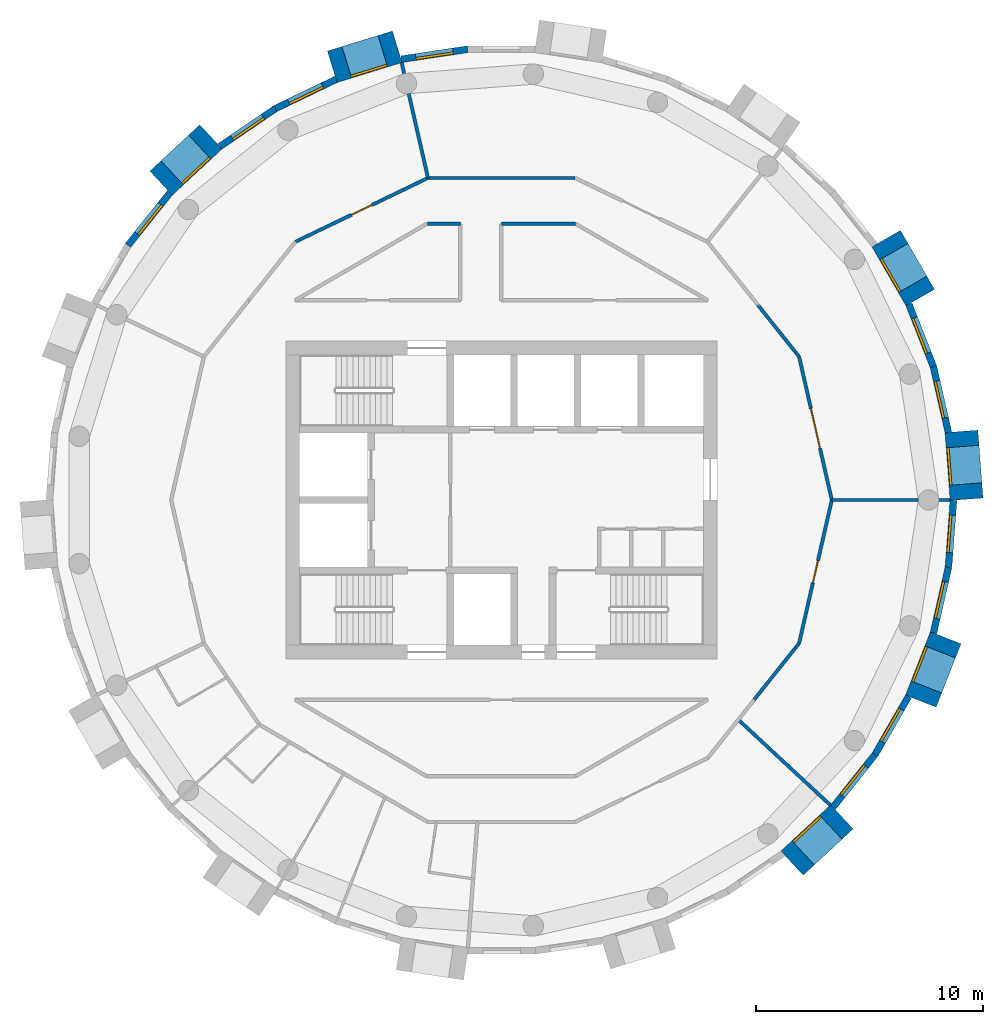
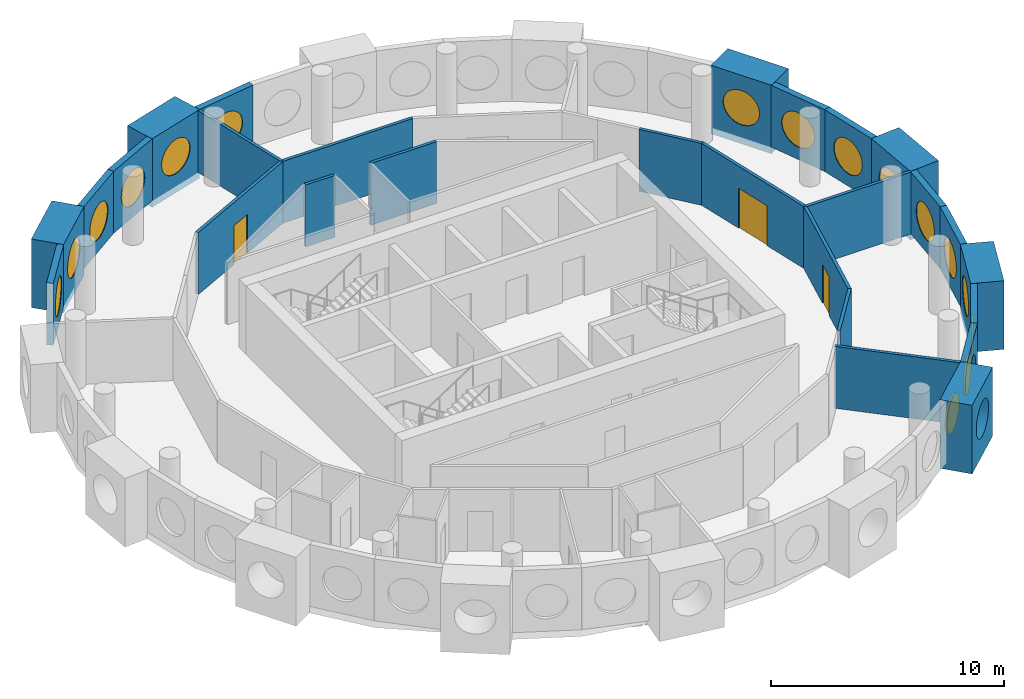
# One storey, part 9 of 12: 27 walls, 16 windows, 3 doors, 19 openings.
"""IFC4 building model written with IfcOpenShell, lengths in metres."""

from ifc_helpers import new_model, si_unit, direction, frame, frame_2d, origin, origin_2d, place, context, subcontext, project, spatial, rectangle, circle, extrude, material, layer, layer_set, type_object, element, fill, save


model = new_model("IFC4")

# Units and contexts
model_context = context("Model", 3, precision=1e-05, world=origin(), true_north=direction((0.0, 1.0)))
body_context = subcontext(model_context, "Body", "Model", "MODEL_VIEW")
ifc_project = project(units=[si_unit("LENGTHUNIT", "METRE"), si_unit("AREAUNIT", "SQUARE_METRE"), si_unit("VOLUMEUNIT", "CUBIC_METRE"), si_unit("PLANEANGLEUNIT", "RADIAN"), si_unit("MASSUNIT", "GRAM", prefix="KILO")], contexts=[model_context])

# Site, building, storey
site_placement = place(None, origin())
site = spatial("IfcSite", under=ifc_project, at=site_placement, CompositionType="ELEMENT")
building_placement = place(site_placement, origin())
building = spatial("IfcBuilding", under=site, at=building_placement, Name="Tracery Tower", CompositionType="ELEMENT")
storey_placement = place(building_placement, frame((0.0, 0.0, 323.39990234375)))
storey = spatial("IfcBuildingStorey", under=building, at=storey_placement, Name="L84", CompositionType="ELEMENT", Elevation=323.39990234375)

# Wall, opening, window
ifc_material_1 = material(Name="Precast concrete C50/60", Category="concrete")
ifc_layer_1 = layer(ifc_material_1, 1.449951171875)
ifc_layer_set_1 = layer_set([ifc_layer_1], Name="Deep-set bay unit 3000 x 3600, slab edge 350")
wall_type_1 = type_object("IfcWallType", Name="Deep-set bay unit 3000 x 3600, slab edge 350", PredefinedType="ELEMENTEDWALL", material=ifc_layer_set_1)
wall_1_placement = place(storey_placement, frame((20.49609375, 0.03173828125, -0.349853515625), z_axis=(0.0, 0.0, 1.0), x_axis=(-0.074785902127, 0.997199613339, 0.0)))
wall_1 = element("IfcWall", 1, at=wall_1_placement, inside=storey, type_object=wall_type_1, Name="Deep-set bay unit 1 at L84", PredefinedType="ELEMENTEDWALL", context=body_context, shape_type="SweptSolid", body=[
    extrude(rectangle(XDim=3.0, YDim=1.449951171875, at=frame_2d((1.5, 0.0))), origin(), (0.0, 0.0, 1.0), 3.599853515625),
])
opening_1_placement = place(wall_1_placement, frame((1.5, 0.0, 1.89990234375)))
opening_1 = element("IfcOpeningElement", 2, at=opening_1_placement, cuts=wall_1, Name="Opening WN1", PredefinedType="OPENING", context=body_context, shape_type="SweptSolid", body=[
    extrude(circle(Radius=0.9000244140625, at=origin_2d()), frame((0.0, 0.73486328125, 0.0), z_axis=(0.0, -1.0, 0.0), x_axis=(1.0, 0.0, 0.0)), (0.0, 0.0, 1.0), 1.469970703125),
])
ifc_material_2 = material(Name="Aluminium frame with tinted double glazing", Category="aluminium")
window_type = type_object("IfcWindowType", Name="Round window 1800", PartitioningType="SINGLE_PANEL", PredefinedType="WINDOW", material=ifc_material_2)
window_1_placement = place(opening_1_placement, origin())
window_1 = element("IfcWindow", 3, at=window_1_placement, inside=storey, type_object=window_type, Name="Round window 1 at L84", OverallHeight=1.800048828125, OverallWidth=1.800048828125, PartitioningType="SINGLE_PANEL", PredefinedType="WINDOW", context=body_context, shape_type="SweptSolid", body=[
    extrude(circle(Radius=0.9000244140625, at=origin_2d()), frame((0.0, 0.69482421875, 0.0), z_axis=(0.0, -1.0, 0.0), x_axis=(1.0, 0.0, 0.0)), (0.0, 0.0, 1.0), 0.10009765625),
])
fill(opening_1, window_1)

wall_2_placement = place(storey_placement, frame((18.452392578125, 8.92138671875, -0.349853515625), z_axis=(0.0, 0.0, 1.0), x_axis=(-0.499990139034, 0.866031096941, 0.0)))
wall_2 = element("IfcWall", 4, at=wall_2_placement, inside=storey, type_object=wall_type_1, Name="Deep-set bay unit 4 at L84", PredefinedType="ELEMENTEDWALL", context=body_context, shape_type="SweptSolid", body=[
    extrude(rectangle(XDim=3.0, YDim=1.449951171875, at=frame_2d((1.5, 0.0))), origin(), (0.0, 0.0, 1.0), 3.599853515625),
])
opening_2_placement = place(wall_2_placement, frame((1.5, 0.0, 1.89990234375)))
opening_2 = element("IfcOpeningElement", 5, at=opening_2_placement, cuts=wall_2, Name="Opening WN1", PredefinedType="OPENING", context=body_context, shape_type="SweptSolid", body=[
    extrude(circle(Radius=0.9000244140625, at=origin_2d()), frame((0.0, 0.73486328125, 0.0), z_axis=(0.0, -1.0, 0.0), x_axis=(1.0, 0.0, 0.0)), (0.0, 0.0, 1.0), 1.469970703125),
])
window_2_placement = place(opening_2_placement, origin())
window_2 = element("IfcWindow", 6, at=window_2_placement, inside=storey, type_object=window_type, Name="Round window 4 at L84", OverallHeight=1.800048828125, OverallWidth=1.800048828125, PartitioningType="SINGLE_PANEL", PredefinedType="WINDOW", context=body_context, shape_type="SweptSolid", body=[
    extrude(circle(Radius=0.9000244140625, at=origin_2d()), frame((0.0, 0.69482421875, 0.0), z_axis=(0.0, -1.0, 0.0), x_axis=(1.0, 0.0, 0.0)), (0.0, 0.0, 1.0), 0.10009765625),
])
fill(opening_2, window_2)

wall_3_placement = place(storey_placement, frame((-4.591796875, 19.97509765625, -0.349853515625), z_axis=(0.0, 0.0, 1.0), x_axis=(-0.955571139978, -0.294760574774, 0.0)))
wall_3 = element("IfcWall", 7, at=wall_3_placement, inside=storey, type_object=wall_type_1, Name="Deep-set bay unit 13 at L84", PredefinedType="ELEMENTEDWALL", context=body_context, shape_type="SweptSolid", body=[
    extrude(rectangle(XDim=3.0, YDim=1.449951171875, at=frame_2d((1.5, 0.0))), origin(), (0.0, 0.0, 1.0), 3.599853515625),
])
opening_3_placement = place(wall_3_placement, frame((1.5, 0.0, 1.89990234375)))
opening_3 = element("IfcOpeningElement", 8, at=opening_3_placement, cuts=wall_3, Name="Opening WN1", PredefinedType="OPENING", context=body_context, shape_type="SweptSolid", body=[
    extrude(circle(Radius=0.9000244140625, at=origin_2d()), frame((0.0, 0.73486328125, 0.0), z_axis=(0.0, -1.0, 0.0), x_axis=(1.0, 0.0, 0.0)), (0.0, 0.0, 1.0), 1.469970703125),
])
window_3_placement = place(opening_3_placement, origin())
window_3 = element("IfcWindow", 9, at=window_3_placement, inside=storey, type_object=window_type, Name="Round window 13 at L84", OverallHeight=1.800048828125, OverallWidth=1.800048828125, PartitioningType="SINGLE_PANEL", PredefinedType="WINDOW", context=body_context, shape_type="SweptSolid", body=[
    extrude(circle(Radius=0.9000244140625, at=origin_2d()), frame((0.0, 0.69482421875, 0.0), z_axis=(0.0, -1.0, 0.0), x_axis=(1.0, 0.0, 0.0)), (0.0, 0.0, 1.0), 0.10009765625),
])
fill(opening_3, window_3)

wall_4_placement = place(storey_placement, frame((-12.803955078125, 16.004638671875, -0.349853515625), z_axis=(0.0, 0.0, 1.0), x_axis=(-0.733022439167, -0.680204457261, 0.0)))
wall_4 = element("IfcWall", 10, at=wall_4_placement, inside=storey, type_object=wall_type_1, Name="Deep-set bay unit 16 at L84", PredefinedType="ELEMENTEDWALL", context=body_context, shape_type="SweptSolid", body=[
    extrude(rectangle(XDim=2.999755859375, YDim=1.449951171875, at=frame_2d((1.5, 0.0))), origin(), (0.0, 0.0, 1.0), 3.599853515625),
])
opening_4_placement = place(wall_4_placement, frame((1.5, 0.0, 1.89990234375)))
opening_4 = element("IfcOpeningElement", 11, at=opening_4_placement, cuts=wall_4, Name="Opening WN1", PredefinedType="OPENING", context=body_context, shape_type="SweptSolid", body=[
    extrude(circle(Radius=0.9000244140625, at=origin_2d()), frame((0.0, 0.73486328125, 0.0), z_axis=(0.0, -1.0, 0.0), x_axis=(1.0, 0.0, 0.0)), (0.0, 0.0, 1.0), 1.469970703125),
])
window_4_placement = place(opening_4_placement, origin())
window_4 = element("IfcWindow", 12, at=window_4_placement, inside=storey, type_object=window_type, Name="Round window 16 at L84", OverallHeight=1.800048828125, OverallWidth=1.800048828125, PartitioningType="SINGLE_PANEL", PredefinedType="WINDOW", context=body_context, shape_type="SweptSolid", body=[
    extrude(circle(Radius=0.9000244140625, at=origin_2d()), frame((0.0, 0.69482421875, 0.0), z_axis=(0.0, -1.0, 0.0), x_axis=(1.0, 0.0, 0.0)), (0.0, 0.0, 1.0), 0.10009765625),
])
fill(opening_4, window_4)

wall_5_placement = place(storey_placement, frame((12.803955078125, -16.004638671875, -0.349853515625), z_axis=(0.0, 0.0, 1.0), x_axis=(0.733022439167, 0.680204457261, 0.0)))
wall_5 = element("IfcWall", 13, at=wall_5_placement, inside=storey, type_object=wall_type_1, Name="Deep-set bay unit 37 at L84", PredefinedType="ELEMENTEDWALL", context=body_context, shape_type="SweptSolid", body=[
    extrude(rectangle(XDim=2.999755859375, YDim=1.449951171875, at=frame_2d((1.5, 0.0))), origin(), (0.0, 0.0, 1.0), 3.599853515625),
])
opening_5_placement = place(wall_5_placement, frame((1.5, 0.0, 1.89990234375)))
opening_5 = element("IfcOpeningElement", 14, at=opening_5_placement, cuts=wall_5, Name="Opening WN1", PredefinedType="OPENING", context=body_context, shape_type="SweptSolid", body=[
    extrude(circle(Radius=0.9000244140625, at=origin_2d()), frame((0.0, 0.73486328125, 0.0), z_axis=(0.0, -1.0, 0.0), x_axis=(1.0, 0.0, 0.0)), (0.0, 0.0, 1.0), 1.469970703125),
])
window_5_placement = place(opening_5_placement, origin())
window_5 = element("IfcWindow", 15, at=window_5_placement, inside=storey, type_object=window_type, Name="Round window 37 at L84", OverallHeight=1.800048828125, OverallWidth=1.800048828125, PartitioningType="SINGLE_PANEL", PredefinedType="WINDOW", context=body_context, shape_type="SweptSolid", body=[
    extrude(circle(Radius=0.9000244140625, at=origin_2d()), frame((0.0, 0.69482421875, 0.0), z_axis=(0.0, -1.0, 0.0), x_axis=(1.0, 0.0, 0.0)), (0.0, 0.0, 1.0), 0.10009765625),
])
fill(opening_5, window_5)

wall_6_placement = place(storey_placement, frame((18.47998046875, -8.8642578125, -0.349853515625), z_axis=(0.0, 0.0, 1.0), x_axis=(0.36537792632, 0.93085926485, 0.0)))
wall_6 = element("IfcWall", 16, at=wall_6_placement, inside=storey, type_object=wall_type_1, Name="Deep-set bay unit 40 at L84", PredefinedType="ELEMENTEDWALL", context=body_context, shape_type="SweptSolid", body=[
    extrude(rectangle(XDim=3.000244140625, YDim=1.449951171875, at=frame_2d((1.5, 0.0))), origin(), (0.0, 0.0, 1.0), 3.599853515625),
])
opening_6_placement = place(wall_6_placement, frame((1.5, 0.0, 1.89990234375)))
opening_6 = element("IfcOpeningElement", 17, at=opening_6_placement, cuts=wall_6, Name="Opening WN1", PredefinedType="OPENING", context=body_context, shape_type="SweptSolid", body=[
    extrude(circle(Radius=0.9000244140625, at=origin_2d()), frame((0.0, 0.73486328125, 0.0), z_axis=(0.0, -1.0, 0.0), x_axis=(1.0, 0.0, 0.0)), (0.0, 0.0, 1.0), 1.469970703125),
])
window_6_placement = place(opening_6_placement, origin())
window_6 = element("IfcWindow", 18, at=window_6_placement, inside=storey, type_object=window_type, Name="Round window 40 at L84", OverallHeight=1.800048828125, OverallWidth=1.800048828125, PartitioningType="SINGLE_PANEL", PredefinedType="WINDOW", context=body_context, shape_type="SweptSolid", body=[
    extrude(circle(Radius=0.9000244140625, at=origin_2d()), frame((0.0, 0.69482421875, 0.0), z_axis=(0.0, -1.0, 0.0), x_axis=(1.0, 0.0, 0.0)), (0.0, 0.0, 1.0), 0.10009765625),
])
fill(opening_6, window_6)

ifc_material_3 = material(Name="Precast concrete C50/60", Category="concrete")
ifc_layer_2 = layer(ifc_material_3, 0.300048828125)
ifc_layer_set_2 = layer_set([ifc_layer_2], Name="Facade panel 3000 x 3250")
wall_type_2 = type_object("IfcWallType", Name="Facade panel 3000 x 3250", PredefinedType="SOLIDWALL", material=ifc_layer_set_2)
wall_7_placement = place(storey_placement, frame((19.69580078125, 2.984130859375, 0.0), z_axis=(0.0, 0.0, 1.0), x_axis=(-0.222529389789, 0.974925982155, 0.0)))
wall_7 = element("IfcWall", 19, at=wall_7_placement, inside=storey, type_object=wall_type_2, Name="Facade panel 2 at L84", PredefinedType="SOLIDWALL", context=body_context, shape_type="SweptSolid", body=[
    extrude(rectangle(XDim=2.962158203125, YDim=0.300048828125, at=frame_2d((1.48095703125, 0.0))), origin(), (0.0, 0.0, 1.0), 3.25),
])
opening_7_placement = place(wall_7_placement, frame((1.48095703125, 0.0, 1.5498046875)))
opening_7 = element("IfcOpeningElement", 20, at=opening_7_placement, cuts=wall_7, Name="Opening WN1", PredefinedType="OPENING", context=body_context, shape_type="SweptSolid", body=[
    extrude(circle(Radius=0.9000244140625, at=origin_2d()), frame((0.0, 0.159912109375, 0.0), z_axis=(0.0, -1.0, 0.0), x_axis=(1.0, 0.0, 0.0)), (0.0, 0.0, 1.0), 0.320068359375),
])
window_7_placement = place(opening_7_placement, origin())
window_7 = element("IfcWindow", 21, at=window_7_placement, inside=storey, type_object=window_type, Name="Round window 2 at L84", OverallHeight=1.800048828125, OverallWidth=1.800048828125, PartitioningType="SINGLE_PANEL", PredefinedType="WINDOW", context=body_context, shape_type="SweptSolid", body=[
    extrude(circle(Radius=0.9000244140625, at=origin_2d()), frame((0.0, 0.1201171875, 0.0), z_axis=(0.0, -1.0, 0.0), x_axis=(1.0, 0.0, 0.0)), (0.0, 0.0, 1.0), 0.10009765625),
])
fill(opening_7, window_7)

wall_8_placement = place(storey_placement, frame((19.03662109375, 5.8720703125, 0.0), z_axis=(0.0, 0.0, 1.0), x_axis=(-0.36530043032, 0.930889679612, 0.0)))
wall_8 = element("IfcWall", 22, at=wall_8_placement, inside=storey, type_object=wall_type_2, Name="Facade panel 3 at L84", PredefinedType="SOLIDWALL", context=body_context, shape_type="SweptSolid", body=[
    extrude(rectangle(XDim=2.9619140625, YDim=0.300048828125, at=frame_2d((1.48095703125, 0.0))), origin(), (0.0, 0.0, 1.0), 3.25),
])
opening_8_placement = place(wall_8_placement, frame((1.48095703125, 0.0, 1.5498046875)))
opening_8 = element("IfcOpeningElement", 23, at=opening_8_placement, cuts=wall_8, Name="Opening WN1", PredefinedType="OPENING", context=body_context, shape_type="SweptSolid", body=[
    extrude(circle(Radius=0.9000244140625, at=origin_2d()), frame((0.0, 0.159912109375, 0.0), z_axis=(0.0, -1.0, 0.0), x_axis=(1.0, 0.0, 0.0)), (0.0, 0.0, 1.0), 0.320068359375),
])
window_8_placement = place(opening_8_placement, origin())
window_8 = element("IfcWindow", 24, at=window_8_placement, inside=storey, type_object=window_type, Name="Round window 3 at L84", OverallHeight=1.800048828125, OverallWidth=1.800048828125, PartitioningType="SINGLE_PANEL", PredefinedType="WINDOW", context=body_context, shape_type="SweptSolid", body=[
    extrude(circle(Radius=0.9000244140625, at=origin_2d()), frame((0.0, 0.1201171875, 0.0), z_axis=(0.0, -1.0, 0.0), x_axis=(1.0, 0.0, 0.0)), (0.0, 0.0, 1.0), 0.10009765625),
])
fill(opening_8, window_8)

wall_9_placement = place(storey_placement, frame((-1.48876953125, 19.865966796875, 0.0), z_axis=(0.0, 0.0, 1.0), x_axis=(-0.988835775663, -0.149009425104, 0.0)))
wall_9 = element("IfcWall", 25, at=wall_9_placement, inside=storey, type_object=wall_type_2, Name="Facade panel 12 at L84", PredefinedType="SOLIDWALL", context=body_context, shape_type="SweptSolid", body=[
    extrude(rectangle(XDim=2.962158203125, YDim=0.300048828125, at=frame_2d((1.48095703125, 0.0))), origin(), (0.0, 0.0, 1.0), 3.25),
])
opening_9_placement = place(wall_9_placement, frame((1.48095703125, 0.0, 1.5498046875)))
opening_9 = element("IfcOpeningElement", 26, at=opening_9_placement, cuts=wall_9, Name="Opening WN1", PredefinedType="OPENING", context=body_context, shape_type="SweptSolid", body=[
    extrude(circle(Radius=0.9000244140625, at=origin_2d()), frame((0.0, 0.159912109375, 0.0), z_axis=(0.0, -1.0, 0.0), x_axis=(1.0, 0.0, 0.0)), (0.0, 0.0, 1.0), 0.320068359375),
])
window_9_placement = place(opening_9_placement, origin())
window_9 = element("IfcWindow", 27, at=window_9_placement, inside=storey, type_object=window_type, Name="Round window 12 at L84", OverallHeight=1.800048828125, OverallWidth=1.800048828125, PartitioningType="SINGLE_PANEL", PredefinedType="WINDOW", context=body_context, shape_type="SweptSolid", body=[
    extrude(circle(Radius=0.9000244140625, at=origin_2d()), frame((0.0, 0.1201171875, 0.0), z_axis=(0.0, -1.0, 0.0), x_axis=(1.0, 0.0, 0.0)), (0.0, 0.0, 1.0), 0.10009765625),
])
fill(opening_9, window_9)

wall_10_placement = place(storey_placement, frame((-7.2919921875, 18.5380859375, 0.0), z_axis=(0.0, 0.0, 1.0), x_axis=(-0.90095513435, -0.433912255978, 0.0)))
wall_10 = element("IfcWall", 28, at=wall_10_placement, inside=storey, type_object=wall_type_2, Name="Facade panel 14 at L84", PredefinedType="SOLIDWALL", context=body_context, shape_type="SweptSolid", body=[
    extrude(rectangle(XDim=2.96240234375, YDim=0.300048828125, at=frame_2d((1.481201171875, 0.0))), origin(), (0.0, 0.0, 1.0), 3.25),
])
opening_10_placement = place(wall_10_placement, frame((1.48095703125, 0.0, 1.5498046875)))
opening_10 = element("IfcOpeningElement", 29, at=opening_10_placement, cuts=wall_10, Name="Opening WN1", PredefinedType="OPENING", context=body_context, shape_type="SweptSolid", body=[
    extrude(circle(Radius=0.9000244140625, at=origin_2d()), frame((0.0, 0.159912109375, 0.0), z_axis=(0.0, -1.0, 0.0), x_axis=(1.0, 0.0, 0.0)), (0.0, 0.0, 1.0), 0.320068359375),
])
window_10_placement = place(opening_10_placement, origin())
window_10 = element("IfcWindow", 30, at=window_10_placement, inside=storey, type_object=window_type, Name="Round window 14 at L84", OverallHeight=1.800048828125, OverallWidth=1.800048828125, PartitioningType="SINGLE_PANEL", PredefinedType="WINDOW", context=body_context, shape_type="SweptSolid", body=[
    extrude(circle(Radius=0.9000244140625, at=origin_2d()), frame((0.0, 0.1201171875, 0.0), z_axis=(0.0, -1.0, 0.0), x_axis=(1.0, 0.0, 0.0)), (0.0, 0.0, 1.0), 0.10009765625),
])
fill(opening_10, window_10)

wall_11_placement = place(storey_placement, frame((-9.9609375, 17.252685546875, 0.0), z_axis=(0.0, 0.0, 1.0), x_axis=(-0.826236061068, -0.563324037646, 0.0)))
wall_11 = element("IfcWall", 31, at=wall_11_placement, inside=storey, type_object=wall_type_2, Name="Facade panel 15 at L84", PredefinedType="SOLIDWALL", context=body_context, shape_type="SweptSolid", body=[
    extrude(rectangle(XDim=2.962158203125, YDim=0.300048828125, at=frame_2d((1.48095703125, 0.0))), origin(), (0.0, 0.0, 1.0), 3.25),
])
opening_11_placement = place(wall_11_placement, frame((1.48095703125, 0.0, 1.5498046875)))
opening_11 = element("IfcOpeningElement", 32, at=opening_11_placement, cuts=wall_11, Name="Opening WN1", PredefinedType="OPENING", context=body_context, shape_type="SweptSolid", body=[
    extrude(circle(Radius=0.9000244140625, at=origin_2d()), frame((0.0, 0.159912109375, 0.0), z_axis=(0.0, -1.0, 0.0), x_axis=(1.0, 0.0, 0.0)), (0.0, 0.0, 1.0), 0.320068359375),
])
window_11_placement = place(opening_11_placement, origin())
window_11 = element("IfcWindow", 33, at=window_11_placement, inside=storey, type_object=window_type, Name="Round window 15 at L84", OverallHeight=1.800048828125, OverallWidth=1.800048828125, PartitioningType="SINGLE_PANEL", PredefinedType="WINDOW", context=body_context, shape_type="SweptSolid", body=[
    extrude(circle(Radius=0.9000244140625, at=origin_2d()), frame((0.0, 0.1201171875, 0.0), z_axis=(0.0, -1.0, 0.0), x_axis=(1.0, 0.0, 0.0)), (0.0, 0.0, 1.0), 0.10009765625),
])
fill(opening_11, window_11)

wall_12_placement = place(storey_placement, frame((-14.61328125, 13.538330078125, 0.0), z_axis=(0.0, 0.0, 1.0), x_axis=(-0.623498236992, -0.781824755599, 0.0)))
wall_12 = element("IfcWall", 34, at=wall_12_placement, inside=storey, type_object=wall_type_2, Name="Facade panel 17 at L84", PredefinedType="SOLIDWALL", context=body_context, shape_type="SweptSolid", body=[
    extrude(rectangle(XDim=2.962158203125, YDim=0.300048828125, at=frame_2d((1.48095703125, 0.0))), origin(), (0.0, 0.0, 1.0), 3.25),
])
opening_12_placement = place(wall_12_placement, frame((1.48095703125, 0.0, 1.5498046875)))
opening_12 = element("IfcOpeningElement", 35, at=opening_12_placement, cuts=wall_12, Name="Opening WN1", PredefinedType="OPENING", context=body_context, shape_type="SweptSolid", body=[
    extrude(circle(Radius=0.9000244140625, at=origin_2d()), frame((0.0, 0.159912109375, 0.0), z_axis=(0.0, -1.0, 0.0), x_axis=(1.0, 0.0, 0.0)), (0.0, 0.0, 1.0), 0.320068359375),
])
window_12_placement = place(opening_12_placement, origin())
window_12 = element("IfcWindow", 36, at=window_12_placement, inside=storey, type_object=window_type, Name="Round window 17 at L84", OverallHeight=1.800048828125, OverallWidth=1.800048828125, PartitioningType="SINGLE_PANEL", PredefinedType="WINDOW", context=body_context, shape_type="SweptSolid", body=[
    extrude(circle(Radius=0.9000244140625, at=origin_2d()), frame((0.0, 0.1201171875, 0.0), z_axis=(0.0, -1.0, 0.0), x_axis=(1.0, 0.0, 0.0)), (0.0, 0.0, 1.0), 0.10009765625),
])
fill(opening_12, window_12)

wall_13_placement = place(storey_placement, frame((14.61328125, -13.538330078125, 0.0), z_axis=(0.0, 0.0, 1.0), x_axis=(0.623498236992, 0.781824755599, 0.0)))
wall_13 = element("IfcWall", 37, at=wall_13_placement, inside=storey, type_object=wall_type_2, Name="Facade panel 38 at L84", PredefinedType="SOLIDWALL", context=body_context, shape_type="SweptSolid", body=[
    extrude(rectangle(XDim=2.962158203125, YDim=0.300048828125, at=frame_2d((1.48095703125, 0.0))), origin(), (0.0, 0.0, 1.0), 3.25),
])
opening_13_placement = place(wall_13_placement, frame((1.48095703125, 0.0, 1.5498046875)))
opening_13 = element("IfcOpeningElement", 38, at=opening_13_placement, cuts=wall_13, Name="Opening WN1", PredefinedType="OPENING", context=body_context, shape_type="SweptSolid", body=[
    extrude(circle(Radius=0.9000244140625, at=origin_2d()), frame((0.0, 0.159912109375, 0.0), z_axis=(0.0, -1.0, 0.0), x_axis=(1.0, 0.0, 0.0)), (0.0, 0.0, 1.0), 0.320068359375),
])
window_13_placement = place(opening_13_placement, origin())
window_13 = element("IfcWindow", 39, at=window_13_placement, inside=storey, type_object=window_type, Name="Round window 38 at L84", OverallHeight=1.800048828125, OverallWidth=1.800048828125, PartitioningType="SINGLE_PANEL", PredefinedType="WINDOW", context=body_context, shape_type="SweptSolid", body=[
    extrude(circle(Radius=0.9000244140625, at=origin_2d()), frame((0.0, 0.1201171875, 0.0), z_axis=(0.0, -1.0, 0.0), x_axis=(1.0, 0.0, 0.0)), (0.0, 0.0, 1.0), 0.10009765625),
])
fill(opening_13, window_13)

wall_14_placement = place(storey_placement, frame((16.460205078125, -11.222412109375, 0.0), z_axis=(0.0, 0.0, 1.0), x_axis=(0.499950756475, 0.86605383268, 0.0)))
wall_14 = element("IfcWall", 40, at=wall_14_placement, inside=storey, type_object=wall_type_2, Name="Facade panel 39 at L84", PredefinedType="SOLIDWALL", context=body_context, shape_type="SweptSolid", body=[
    extrude(rectangle(XDim=2.962158203125, YDim=0.300048828125, at=frame_2d((1.48095703125, 0.0))), origin(), (0.0, 0.0, 1.0), 3.25),
])
opening_14_placement = place(wall_14_placement, frame((1.48095703125, 0.0, 1.5498046875)))
opening_14 = element("IfcOpeningElement", 41, at=opening_14_placement, cuts=wall_14, Name="Opening WN1", PredefinedType="OPENING", context=body_context, shape_type="SweptSolid", body=[
    extrude(circle(Radius=0.9000244140625, at=origin_2d()), frame((0.0, 0.159912109375, 0.0), z_axis=(0.0, -1.0, 0.0), x_axis=(1.0, 0.0, 0.0)), (0.0, 0.0, 1.0), 0.320068359375),
])
window_14_placement = place(opening_14_placement, origin())
window_14 = element("IfcWindow", 42, at=window_14_placement, inside=storey, type_object=window_type, Name="Round window 39 at L84", OverallHeight=1.800048828125, OverallWidth=1.800048828125, PartitioningType="SINGLE_PANEL", PredefinedType="WINDOW", context=body_context, shape_type="SweptSolid", body=[
    extrude(circle(Radius=0.9000244140625, at=origin_2d()), frame((0.0, 0.1201171875, 0.0), z_axis=(0.0, -1.0, 0.0), x_axis=(1.0, 0.0, 0.0)), (0.0, 0.0, 1.0), 0.10009765625),
])
fill(opening_14, window_14)

wall_15_placement = place(storey_placement, frame((19.0400390625, -5.857177734375, 0.0), z_axis=(0.0, 0.0, 1.0), x_axis=(0.222529389789, 0.974925982155, 0.0)))
wall_15 = element("IfcWall", 43, at=wall_15_placement, inside=storey, type_object=wall_type_2, Name="Facade panel 41 at L84", PredefinedType="SOLIDWALL", context=body_context, shape_type="SweptSolid", body=[
    extrude(rectangle(XDim=2.962158203125, YDim=0.300048828125, at=frame_2d((1.48095703125, 0.0))), origin(), (0.0, 0.0, 1.0), 3.25),
])
opening_15_placement = place(wall_15_placement, frame((1.48095703125, 0.0, 1.5498046875)))
opening_15 = element("IfcOpeningElement", 44, at=opening_15_placement, cuts=wall_15, Name="Opening WN1", PredefinedType="OPENING", context=body_context, shape_type="SweptSolid", body=[
    extrude(circle(Radius=0.9000244140625, at=origin_2d()), frame((0.0, 0.159912109375, 0.0), z_axis=(0.0, -1.0, 0.0), x_axis=(1.0, 0.0, 0.0)), (0.0, 0.0, 1.0), 0.320068359375),
])
window_15_placement = place(opening_15_placement, origin())
window_15 = element("IfcWindow", 45, at=window_15_placement, inside=storey, type_object=window_type, Name="Round window 41 at L84", OverallHeight=1.800048828125, OverallWidth=1.800048828125, PartitioningType="SINGLE_PANEL", PredefinedType="WINDOW", context=body_context, shape_type="SweptSolid", body=[
    extrude(circle(Radius=0.9000244140625, at=origin_2d()), frame((0.0, 0.1201171875, 0.0), z_axis=(0.0, -1.0, 0.0), x_axis=(1.0, 0.0, 0.0)), (0.0, 0.0, 1.0), 0.10009765625),
])
fill(opening_15, window_15)

wall_16_placement = place(storey_placement, frame((19.69921875, -2.96923828125, 0.0), z_axis=(0.0, 0.0, 1.0), x_axis=(0.07474897196, 0.997202382263, 0.0)))
wall_16 = element("IfcWall", 46, at=wall_16_placement, inside=storey, type_object=wall_type_2, Name="Facade panel 42 at L84", PredefinedType="SOLIDWALL", context=body_context, shape_type="SweptSolid", body=[
    extrude(rectangle(XDim=2.96240234375, YDim=0.300048828125, at=frame_2d((1.481201171875, 0.0))), origin(), (0.0, 0.0, 1.0), 3.25),
])
opening_16_placement = place(wall_16_placement, frame((1.48095703125, 0.0, 1.5498046875)))
opening_16 = element("IfcOpeningElement", 47, at=opening_16_placement, cuts=wall_16, Name="Opening WN1", PredefinedType="OPENING", context=body_context, shape_type="SweptSolid", body=[
    extrude(circle(Radius=0.9000244140625, at=origin_2d()), frame((0.0, 0.159912109375, 0.0), z_axis=(0.0, -1.0, 0.0), x_axis=(1.0, 0.0, 0.0)), (0.0, 0.0, 1.0), 0.320068359375),
])
window_16_placement = place(opening_16_placement, origin())
window_16 = element("IfcWindow", 48, at=window_16_placement, inside=storey, type_object=window_type, Name="Round window 42 at L84", OverallHeight=1.800048828125, OverallWidth=1.800048828125, PartitioningType="SINGLE_PANEL", PredefinedType="WINDOW", context=body_context, shape_type="SweptSolid", body=[
    extrude(circle(Radius=0.9000244140625, at=origin_2d()), frame((0.0, 0.1201171875, 0.0), z_axis=(0.0, -1.0, 0.0), x_axis=(1.0, 0.0, 0.0)), (0.0, 0.0, 1.0), 0.10009765625),
])
fill(opening_16, window_16)

# Walls
ifc_material_4 = material(Name="Plasterboard on steel studs", Category="steel")
ifc_layer_3 = layer(ifc_material_4, 0.14990234375)
ifc_layer_set_3 = layer_set([ifc_layer_3], Name="Partition 150 acoustic unit wall")
wall_type_3 = type_object("IfcWallType", Name="Partition 150 acoustic unit wall", PredefinedType="PARTITIONING", material=ifc_layer_set_3)
wall_17_placement = place(storey_placement, frame((14.556884765625, 0.0, 0.0), z_axis=(0.0, 0.0, 1.0), x_axis=(1.0, 0.0, 0.0)))
element("IfcWall", 49, at=wall_17_placement, inside=storey, type_object=wall_type_3, Name="Unit wall RC10-040", PredefinedType="PARTITIONING", context=body_context, shape_type="SweptSolid", body=[
    extrude(rectangle(XDim=5.214111328125, YDim=0.14990234375, at=frame_2d((2.60693359375, 0.0))), origin(), (0.0, 0.0, 1.0), 3.25),
])
wall_18_placement = place(storey_placement, frame((-4.39990234375, 19.27587890625, 0.0), z_axis=(0.0, 0.0, 1.0), x_axis=(0.222612505682, -0.974907007008, 0.0)))
element("IfcWall", 50, at=wall_18_placement, inside=storey, type_object=wall_type_3, Name="Unit wall RC10-041", PredefinedType="PARTITIONING", context=body_context, shape_type="SweptSolid", body=[
    extrude(rectangle(XDim=5.21484375, YDim=0.14990234375, at=frame_2d((2.607421875, 0.0))), origin(), (0.0, 0.0, 1.0), 3.25),
])
wall_19_placement = place(storey_placement, frame((10.43310546875, -9.679931640625, 0.0), z_axis=(0.0, 0.0, 1.0), x_axis=(0.73295202722, -0.68028032883, 0.0)))
element("IfcWall", 51, at=wall_19_placement, inside=storey, type_object=wall_type_3, Name="Unit wall RC10-055", PredefinedType="PARTITIONING", context=body_context, shape_type="SweptSolid", body=[
    extrude(rectangle(XDim=5.5390625, YDim=0.14990234375, at=frame_2d((2.76953125, 0.0))), origin(), (0.0, 0.0, 1.0), 3.25),
])
ifc_material_5 = material(Name="Plasterboard on steel studs", Category="steel")
ifc_layer_4 = layer(ifc_material_5, 0.14990234375)
ifc_layer_set_4 = layer_set([ifc_layer_4], Name="Partition 150 corridor wall")
wall_type_4 = type_object("IfcWallType", Name="Partition 150 corridor wall", PredefinedType="PARTITIONING", material=ifc_layer_set_4)
wall_20_placement = place(storey_placement, frame((11.300048828125, 8.592041015625, 0.0), z_axis=(0.0, 0.0, 1.0), x_axis=(0.623446514299, -0.781866001185, 0.0)))
element("IfcWall", 52, at=wall_20_placement, inside=storey, type_object=wall_type_4, Name="Corridor wall RC10-016", PredefinedType="PARTITIONING", context=body_context, shape_type="SweptSolid", body=[
    extrude(rectangle(XDim=2.9111328125, YDim=0.14990234375, at=frame_2d((1.45556640625, 0.0))), origin(), (0.0, 0.0, 1.0), 3.25),
])

# Wall, opening, door
wall_21_placement = place(storey_placement, frame((13.114990234375, 6.31591796875, 0.0), z_axis=(0.0, 0.0, 1.0), x_axis=(0.222568978642, -0.97491694505, 0.0)))
wall_21 = element("IfcWall", 53, at=wall_21_placement, inside=storey, type_object=wall_type_4, Name="Corridor wall RC10-017", PredefinedType="PARTITIONING", context=body_context, shape_type="SweptSolid", body=[
    extrude(rectangle(XDim=6.478515625, YDim=0.14990234375, at=frame_2d((3.2392578125, 0.0))), origin(), (0.0, 0.0, 1.0), 3.25),
])
opening_17_placement = place(wall_21_placement, frame((2.339111328125, 0.0, 0.0)))
opening_17 = element("IfcOpeningElement", 54, at=opening_17_placement, cuts=wall_21, Name="Opening RC10-04", PredefinedType="OPENING", context=body_context, shape_type="SweptSolid", body=[
    extrude(rectangle(XDim=1.800048828125, YDim=2.10009765625, at=frame_2d((0.89990234375, 1.050048828125))), frame((0.0, 0.074951171875, 0.0), z_axis=(0.0, -1.0, 0.0), x_axis=(1.0, 0.0, 0.0)), (0.0, 0.0, 1.0), 0.14990234375),
])
ifc_material_6 = material(Name="Timber door leaf", Category="wood")
door_type_1 = type_object("IfcDoorType", Name="Door double lounge 1800", OperationType="NOTDEFINED", PredefinedType="DOOR", material=ifc_material_6)
door_1_placement = place(opening_17_placement, origin())
door_1 = element("IfcDoor", 55, at=door_1_placement, inside=storey, type_object=door_type_1, Name="Double lounge door RC10-04", OperationType="DOUBLE_DOOR_SINGLE_SWING", OverallHeight=2.10009765625, OverallWidth=1.800048828125, PredefinedType="DOOR", context=body_context, shape_type="SweptSolid", body=[
    extrude(rectangle(XDim=1.800048828125, YDim=2.10009765625, at=frame_2d((0.89990234375, 1.050048828125))), frame((0.0, 0.02490234375, 0.0), z_axis=(0.0, -1.0, 0.0), x_axis=(1.0, 0.0, 0.0)), (0.0, 0.0, 1.0), 0.050048828125),
])
fill(opening_17, door_1)

wall_22_placement = place(storey_placement, frame((13.114990234375, -6.31591796875, 0.0), z_axis=(0.0, 0.0, 1.0), x_axis=(0.222568978642, 0.97491694505, 0.0)))
wall_22 = element("IfcWall", 56, at=wall_22_placement, inside=storey, type_object=wall_type_4, Name="Corridor wall RC10-018", PredefinedType="PARTITIONING", context=body_context, shape_type="SweptSolid", body=[
    extrude(rectangle(XDim=6.478515625, YDim=0.14990234375, at=frame_2d((3.2392578125, 0.0))), origin(), (0.0, 0.0, 1.0), 3.25),
])
opening_18_placement = place(wall_22_placement, frame((2.739501953125, 0.0, 0.0)))
opening_18 = element("IfcOpeningElement", 57, at=opening_18_placement, cuts=wall_22, Name="Opening RC10-16", PredefinedType="OPENING", context=body_context, shape_type="SweptSolid", body=[
    extrude(rectangle(XDim=1.0, YDim=2.0400390625, at=frame_2d((0.5, 1.02001953125))), frame((0.0, 0.074951171875, 0.0), z_axis=(0.0, -1.0, 0.0), x_axis=(1.0, 0.0, 0.0)), (0.0, 0.0, 1.0), 0.14990234375),
])
ifc_material_7 = material(Name="Timber door leaf", Category="wood")
door_type_2 = type_object("IfcDoorType", Name="Door communal room 1000", OperationType="NOTDEFINED", PredefinedType="DOOR", material=ifc_material_7)
door_2_placement = place(opening_18_placement, origin())
door_2 = element("IfcDoor", 58, at=door_2_placement, inside=storey, type_object=door_type_2, Name="Communal room door RC10-16", OperationType="SINGLE_SWING_LEFT", OverallHeight=2.0400390625, OverallWidth=1.0, PredefinedType="DOOR", context=body_context, shape_type="SweptSolid", body=[
    extrude(rectangle(XDim=1.0, YDim=2.0400390625, at=frame_2d((0.5, 1.02001953125))), frame((0.0, 0.02490234375, 0.0), z_axis=(0.0, -1.0, 0.0), x_axis=(1.0, 0.0, 0.0)), (0.0, 0.0, 1.0), 0.050048828125),
])
fill(opening_18, door_2)

# Walls
wall_23_placement = place(storey_placement, frame((11.134033203125, -8.800048828125, 0.0), z_axis=(0.0, 0.0, 1.0), x_axis=(0.623476099415, 0.781842409606, 0.0)))
element("IfcWall", 59, at=wall_23_placement, inside=storey, type_object=wall_type_4, Name="Corridor wall RC10-019", PredefinedType="PARTITIONING", context=body_context, shape_type="SweptSolid", body=[
    extrude(rectangle(XDim=3.17724609375, YDim=0.14990234375, at=frame_2d((1.588623046875, 0.0))), origin(), (0.0, 0.0, 1.0), 3.25),
])
wall_24_placement = place(storey_placement, frame((-3.260986328125, 12.1708984375, 0.0), z_axis=(0.0, 0.0, 1.0), x_axis=(1.0, 0.0, 0.0)))
element("IfcWall", 60, at=wall_24_placement, inside=storey, type_object=wall_type_4, Name="Corridor wall RC10-021", PredefinedType="PARTITIONING", context=body_context, shape_type="SweptSolid", body=[
    extrude(rectangle(XDim=1.450927734375, YDim=0.14990234375, at=frame_2d((0.7255859375, 0.0))), origin(), (0.0, 0.0, 1.0), 3.25),
])
wall_25_placement = place(storey_placement, frame((-0.010009765625, 12.1708984375, 0.0), z_axis=(0.0, 0.0, 1.0), x_axis=(1.0, 0.0, 0.0)))
element("IfcWall", 61, at=wall_25_placement, inside=storey, type_object=wall_type_4, Name="Corridor wall RC10-023", PredefinedType="PARTITIONING", context=body_context, shape_type="SweptSolid", body=[
    extrude(rectangle(XDim=3.27099609375, YDim=0.14990234375, at=frame_2d((1.635498046875, 0.0))), origin(), (0.0, 0.0, 1.0), 3.25),
])
wall_26_placement = place(storey_placement, frame((-3.239013671875, 14.19189453125, 0.0), z_axis=(0.0, 0.0, 1.0), x_axis=(1.0, 0.0, 0.0)))
element("IfcWall", 62, at=wall_26_placement, inside=storey, type_object=wall_type_4, Name="Corridor wall RC10-026", PredefinedType="PARTITIONING", context=body_context, shape_type="SweptSolid", body=[
    extrude(rectangle(XDim=6.47802734375, YDim=0.14990234375, at=frame_2d((3.239013671875, 0.0))), origin(), (0.0, 0.0, 1.0), 3.25),
])

# Wall, opening, door
wall_27_placement = place(storey_placement, frame((-9.075927734375, 11.381103515625, 0.0), z_axis=(0.0, 0.0, 1.0), x_axis=(0.900976027191, 0.433868872388, 0.0)))
wall_27 = element("IfcWall", 63, at=wall_27_placement, inside=storey, type_object=wall_type_4, Name="Corridor wall RC10-028", PredefinedType="PARTITIONING", context=body_context, shape_type="SweptSolid", body=[
    extrude(rectangle(XDim=6.478515625, YDim=0.14990234375, at=frame_2d((3.2392578125, 0.0))), origin(), (0.0, 0.0, 1.0), 3.25),
])
opening_19_placement = place(wall_27_placement, frame((2.739013671875, 0.0, 0.0)))
opening_19 = element("IfcOpeningElement", 64, at=opening_19_placement, cuts=wall_27, Name="Opening RC10-06", PredefinedType="OPENING", context=body_context, shape_type="SweptSolid", body=[
    extrude(rectangle(XDim=1.0, YDim=2.0400390625, at=frame_2d((0.5, 1.02001953125))), frame((0.0, 0.074951171875, 0.0), z_axis=(0.0, -1.0, 0.0), x_axis=(1.0, 0.0, 0.0)), (0.0, 0.0, 1.0), 0.14990234375),
])
door_3_placement = place(opening_19_placement, origin())
door_3 = element("IfcDoor", 65, at=door_3_placement, inside=storey, type_object=door_type_2, Name="Communal room door RC10-06", OperationType="SINGLE_SWING_LEFT", OverallHeight=2.0400390625, OverallWidth=1.0, PredefinedType="DOOR", context=body_context, shape_type="SweptSolid", body=[
    extrude(rectangle(XDim=1.0, YDim=2.0400390625, at=frame_2d((0.5, 1.02001953125))), frame((0.0, 0.02490234375, 0.0), z_axis=(0.0, -1.0, 0.0), x_axis=(1.0, 0.0, 0.0)), (0.0, 0.0, 1.0), 0.050048828125),
])
fill(opening_19, door_3)

save(model, "model.ifc")
